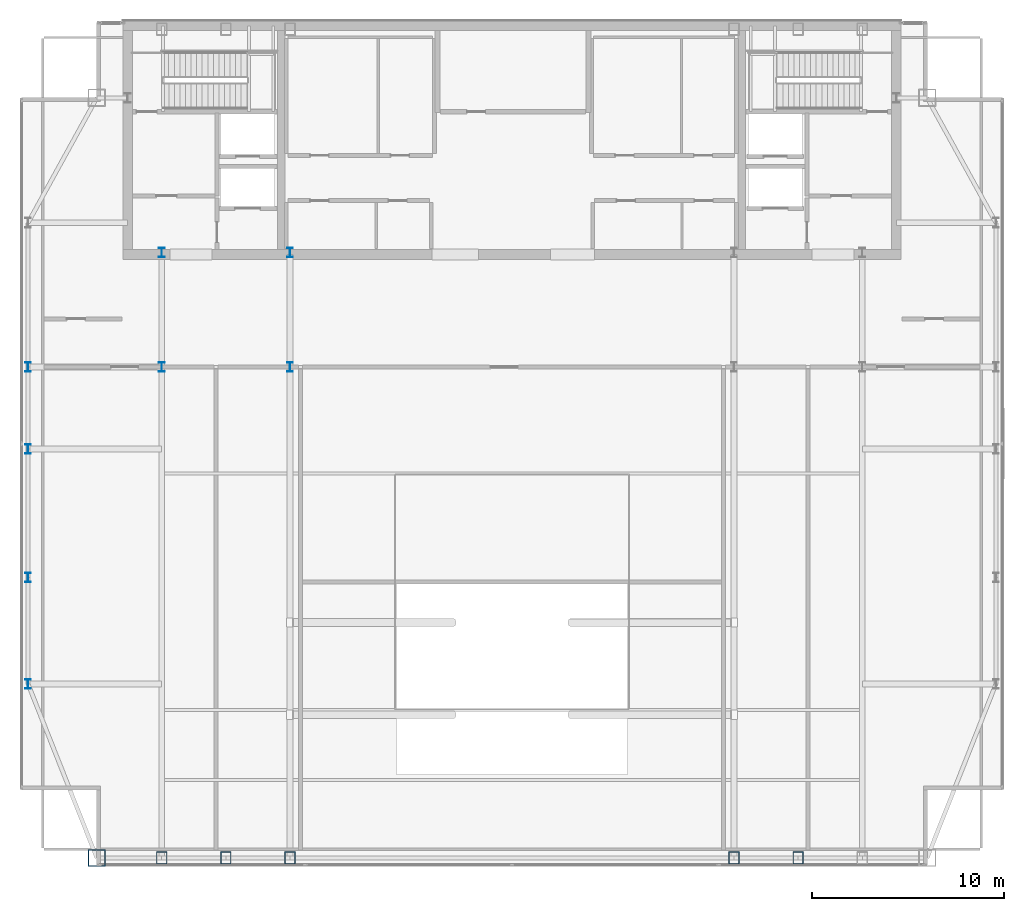
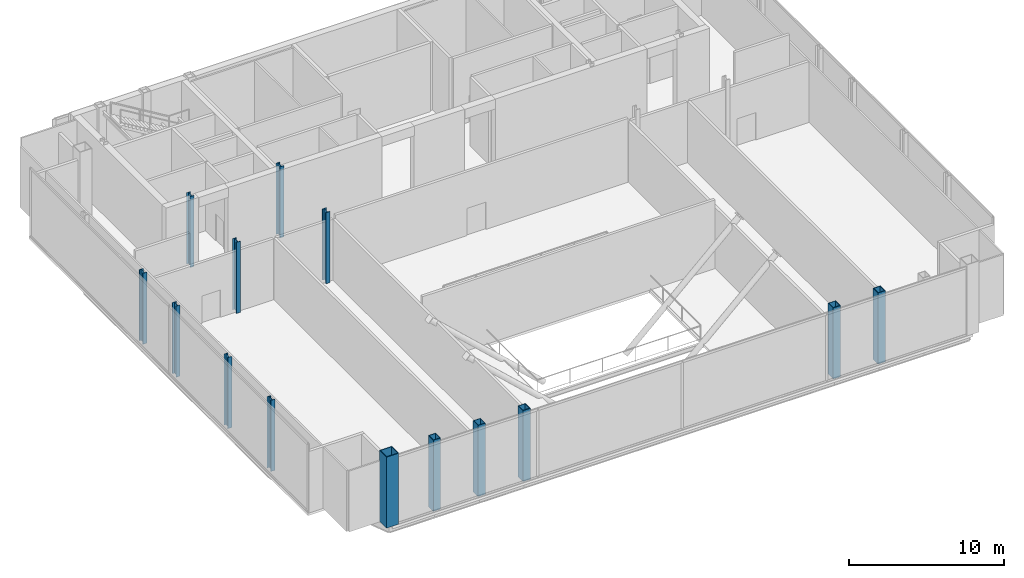
# One storey, part 1 of 23: 14 columns.
"""IFC4 building model written with IfcOpenShell, lengths in metres."""

import ifcopenshell
import ifcopenshell.guid

model = None  # the IFC model being written
_history = None  # IfcOwnerHistory: only IFC2X3 demands one
_inside = {}  # id of a spatial element -> (the spatial element, [elements in it])
_under = {}  # id of a project, library or spatial element -> (it, [spatial elements below it])
_declared = {}  # id of a project -> (the project, [libraries it declares])
_typed = {}  # id of a type object -> (the type object, [elements of that type])
_made_of = {}  # id of a material, layer set ... -> (it, [elements and type objects made of it])


def new_model(schema):
    """Start an empty IFC model of exactly this schema.

    Asked for "IFC4X3", IfcOpenShell would pick the latest addendum, in which some entities
    have other attributes; the version numbers below select the first issue.
    IFC2X3 requires an IfcOwnerHistory on every rooted entity: one is made here for all.
    """
    global model, _history
    if schema == "IFC4X3":
        model = ifcopenshell.file(schema_version=(4, 3, 0, 0))
    else:
        model = ifcopenshell.file(schema=schema)
    _inside.clear()
    _under.clear()
    _declared.clear()
    _typed.clear()
    _made_of.clear()
    _history = None
    if model.schema == "IFC2X3":
        org = make("IfcOrganization", Name="unknown")
        user = make(
            "IfcPersonAndOrganization",
            ThePerson=make("IfcPerson", FamilyName="unknown"),
            TheOrganization=org,
        )
        app = make(
            "IfcApplication",
            ApplicationDeveloper=org,
            Version="unknown",
            ApplicationFullName="unknown",
            ApplicationIdentifier="unknown",
        )
        _history = make(
            "IfcOwnerHistory",
            OwningUser=user,
            OwningApplication=app,
            ChangeAction="ADDED",
            CreationDate=0,
        )
    return model


def make(cls, **values):
    """One entity of the class cls with the attributes given. An attribute that is None is left unset."""
    return model.create_entity(
        cls, **{name: value for name, value in values.items() if value is not None}
    )


def rooted(cls, **values):
    """An entity with a GlobalId (a new one), such as an element, a storey or a relation."""
    return make(cls, GlobalId=ifcopenshell.guid.new(), OwnerHistory=_history, **values)


def si_unit(unit_type, name, prefix=None):
    """IfcSIUnit, for example si_unit("LENGTHUNIT", "METRE", prefix="MILLI")."""
    return make("IfcSIUnit", UnitType=unit_type, Prefix=prefix, Name=name)


def assignment(units):
    """IfcUnitAssignment: the units of a project."""
    return None if units is None else make("IfcUnitAssignment", Units=units)


def point(xyz):
    """IfcCartesianPoint."""
    return None if xyz is None else make("IfcCartesianPoint", Coordinates=xyz)


def direction(xyz):
    """IfcDirection."""
    return None if xyz is None else make("IfcDirection", DirectionRatios=xyz)


def frame(location, z_axis=None, x_axis=None):
    """IfcAxis2Placement3D, a coordinate frame: its origin and axes. An axis left out is left unset."""
    return make(
        "IfcAxis2Placement3D",
        Location=point(location),
        Axis=direction(z_axis),
        RefDirection=direction(x_axis),
    )


def frame_2d(location, x_axis=None):
    """IfcAxis2Placement2D, a coordinate frame in the plane: its origin and x axis."""
    return make(
        "IfcAxis2Placement2D", Location=point(location), RefDirection=direction(x_axis)
    )


def origin():
    """The frame at (0, 0, 0) with its axes left unset."""
    return frame((0.0, 0.0, 0.0))


def origin_2d():
    """The frame at (0, 0) in the plane with its x axis left unset."""
    return frame_2d((0.0, 0.0))


def place(relative_to, where):
    """IfcLocalPlacement: puts the frame where relative to a parent placement (None: the world)."""
    return make(
        "IfcLocalPlacement", PlacementRelTo=relative_to, RelativePlacement=where
    )


def context(
    kind, dimensions, precision=None, world=None, true_north=None, identifier=None
):
    """IfcGeometricRepresentationContext, for example the 3D "Model" context."""
    return make(
        "IfcGeometricRepresentationContext",
        ContextIdentifier=identifier,
        ContextType=kind,
        CoordinateSpaceDimension=dimensions,
        Precision=precision,
        WorldCoordinateSystem=world,
        TrueNorth=true_north,
    )


def subcontext(parent, identifier, kind, view, scale=None):
    """IfcGeometricRepresentationSubContext, for example "Body" below "Model"."""
    return make(
        "IfcGeometricRepresentationSubContext",
        ContextIdentifier=identifier,
        ContextType=kind,
        ParentContext=parent,
        TargetScale=scale,
        TargetView=view,
    )


def project(units=None, contexts=None):
    """IfcProject with its units and contexts."""
    return rooted(
        "IfcProject",
        Name="project",
        RepresentationContexts=contexts,
        UnitsInContext=assignment(units),
    )


def spatial(cls, under=None, at=None, **own):
    """A site, building, storey or space (cls), placed at a placement, below another one or the project."""
    s = rooted(cls, ObjectPlacement=at, **own)
    if under is not None:
        _under.setdefault(under.id(), (under, []))[1].append(s)
    return s


def profile(cls, at=None, kind="AREA", **sizes):
    """A parametric profile (cls). Its sizes go by their IFC names, for example OverallWidth=200.0."""
    return make(cls, ProfileType=kind, Position=at, **sizes)


def hollow_rectangle(**sizes):
    """IfcRectangleHollowProfileDef."""
    return profile("IfcRectangleHollowProfileDef", **sizes)


def i_section(**sizes):
    """IfcIShapeProfileDef."""
    return profile("IfcIShapeProfileDef", **sizes)


def extrude(swept, where, along, depth):
    """IfcExtrudedAreaSolid: the profile swept, set in the frame where, extruded along a direction by depth."""
    return make(
        "IfcExtrudedAreaSolid",
        SweptArea=swept,
        Position=where,
        ExtrudedDirection=direction(along),
        Depth=depth,
    )


def shape(context_of_items, identifier, shape_type, items):
    """IfcShapeRepresentation: the items that make up one representation, for example the "Body"."""
    return make(
        "IfcShapeRepresentation",
        ContextOfItems=context_of_items,
        RepresentationIdentifier=identifier,
        RepresentationType=shape_type,
        Items=items,
    )


def material(Name=None, Category=None):
    """IfcMaterial."""
    return make("IfcMaterial", Name=Name, Category=Category)


def material_profile(
    of_material, cross_section, Name=None, Category=None, Priority=None
):
    """IfcMaterialProfile: a cross section and its material."""
    return make(
        "IfcMaterialProfile",
        Name=Name,
        Material=of_material,
        Profile=cross_section,
        Priority=Priority,
        Category=Category,
    )


def profile_set(profiles, Name=None, composite=None):
    """IfcMaterialProfileSet."""
    return make(
        "IfcMaterialProfileSet",
        Name=Name,
        MaterialProfiles=profiles,
        CompositeProfile=composite,
    )


def made_of(thing, what):
    """Note that an element or type object is made of a material, layer set ...; save() writes the relation."""
    if what is not None:
        _made_of.setdefault(what.id(), (what, []))[1].append(thing)
    return thing


def type_object(cls, material=None, **own):
    """A type object (cls), such as IfcWallType, which elements share."""
    return made_of(rooted(cls, **own), material)


def element(
    cls,
    number,
    at=None,
    inside=None,
    cuts=None,
    type_object=None,
    material=None,
    context=None,
    identifier="Body",
    shape_type=None,
    held_by="IfcProductDefinitionShape",
    body=None,
    shapes=None,
    **own,
):
    """One element of the class cls, such as IfcWall. Its Tag is "e" and its number.

    at: its placement. inside: the storey or other place that contains it. cuts: it is an
    opening in that element (IfcRelVoidsElement). A single representation is given by context,
    identifier, shape_type and body (its items); several are given by shapes. held_by: the class
    of the entity that holds the representations. save() writes the other relations.
    """
    e = rooted(cls, Tag="e%d" % number, ObjectPlacement=at, **own)
    if body is not None:
        shapes = [shape(context, identifier, shape_type, body)]
    if shapes is not None:
        e.Representation = make(held_by, Representations=shapes)
    if inside is not None:
        _inside.setdefault(inside.id(), (inside, []))[1].append(e)
    if cuts is not None:
        rooted(
            "IfcRelVoidsElement", RelatingBuildingElement=cuts, RelatedOpeningElement=e
        )
    if type_object is not None:
        _typed.setdefault(type_object.id(), (type_object, []))[1].append(e)
    return made_of(e, material)


def aggregate(whole, parts):
    """IfcRelAggregates: a whole, such as a stair, and the parts it consists of."""
    return rooted("IfcRelAggregates", RelatingObject=whole, RelatedObjects=parts)


def save(model, path):
    """Write the relations noted so far, then the file.

    IfcRelAggregates (storeys below a building ...), IfcRelContainedInSpatialStructure (elements
    in a storey), IfcRelDefinesByType, IfcRelAssociatesMaterial and IfcRelDeclares: one each for
    every whole, place, type object, material and project.
    """
    for whole, parts in _under.values():
        aggregate(whole, parts)
    for where, things in _inside.values():
        rooted(
            "IfcRelContainedInSpatialStructure",
            RelatedElements=things,
            RelatingStructure=where,
        )
    for kind, things in _typed.values():
        rooted("IfcRelDefinesByType", RelatedObjects=things, RelatingType=kind)
    for what, things in _made_of.values():
        rooted("IfcRelAssociatesMaterial", RelatedObjects=things, RelatingMaterial=what)
    for by, libraries in _declared.values():
        rooted("IfcRelDeclares", RelatingContext=by, RelatedDefinitions=libraries)
    model.write(path)


model = new_model("IFC4")

# Units and contexts
model_context = context("Model", 3, precision=1e-05, world=origin(), true_north=direction((0.0, 1.0)))
body_context = subcontext(model_context, "Body", "Model", "MODEL_VIEW")
ifc_project = project(units=[si_unit("LENGTHUNIT", "METRE"), si_unit("AREAUNIT", "SQUARE_METRE"), si_unit("VOLUMEUNIT", "CUBIC_METRE"), si_unit("PLANEANGLEUNIT", "RADIAN"), si_unit("MASSUNIT", "GRAM", prefix="KILO")], contexts=[model_context])

# Site, building, storey
site_placement = place(None, origin())
site = spatial("IfcSite", under=ifc_project, at=site_placement, CompositionType="ELEMENT")
building_placement = place(site_placement, origin())
building = spatial("IfcBuilding", under=site, at=building_placement, Name="Khoronbel Lancet Exchange", CompositionType="ELEMENT")
storey_placement = place(building_placement, frame((0.0, 0.0, 356.199951171875)))
storey = spatial("IfcBuildingStorey", under=building, at=storey_placement, Name="L92", CompositionType="ELEMENT", Elevation=356.199951171875)

# Columns
ifc_material_1 = material(Name="Steel S355", Category="steel")
ifc_material_profile_1 = material_profile(ifc_material_1, i_section(OverallWidth=0.300048828125, OverallDepth=0.5, WebThickness=0.014404296875, FlangeThickness=0.028076171875, at=origin_2d()), Name="HEB 500")
ifc_profile_set_1 = profile_set([ifc_material_profile_1], Name="Steel S355")
column_type_1 = type_object("IfcColumnType", Name="COL-CRC1", PredefinedType="COLUMN", material=ifc_profile_set_1)
for number, where, z_axis, x_axis, name in (
    (1, (11.27001953125, 19.199951171875, 0.0), (0.0, 0.0, 1.0), (1.0, 0.0, 0.0), "CROWN FRAME column WC-1 L92"),
    (2, (11.27001953125, 24.75, 0.0), (0.0, 0.0, 1.0), (1.0, 0.0, 0.0), "CROWN FRAME column WC-2 L92"),
    (3, (11.27001953125, 31.425048828125, 0.0), (0.0, 0.0, 1.0), (1.0, 0.0, 0.0), "CROWN FRAME column WC-M L92"),
    (4, (11.27001953125, 35.699951171875, 0.0), (0.0, 0.0, 1.0), (1.0, 0.0, 0.0), "CROWN FRAME column WC-3 L92"),
    (5, (18.22509765625, 35.699951171875, 0.0), (0.0, 0.0, 1.0), (1.0, 0.0, 0.0), "CROWN FRAME spine column TC1 L92"),
    (6, (18.22509765625, 41.64990234375, 0.0), (0.0, 0.0, 1.0), (1.0, 0.0, 0.0), "Core-embedded steel column CTC1 L92"),
    (7, (24.89990234375, 35.699951171875, 0.0), (0.0, 0.0, 1.0), (1.0, 0.0, 0.0), "CROWN FRAME spine column TC2 L92"),
    (8, (24.89990234375, 41.64990234375, 0.0), (0.0, 0.0, 1.0), (1.0, 0.0, 0.0), "Core-embedded steel column CTC2 L92"),
):
    element("IfcColumn", number, at=place(storey_placement, frame(where, z_axis=z_axis, x_axis=x_axis)), inside=storey, type_object=column_type_1, Name=name, PredefinedType="COLUMN", context=body_context, shape_type="SweptSolid", body=[
        extrude(i_section(OverallWidth=0.300048828125, OverallDepth=0.5, WebThickness=0.014404296875, FlangeThickness=0.028076171875, at=origin_2d()), origin(), (0.0, 0.0, 1.0), 5.60009765625),
    ])
ifc_material_2 = material(Name="Steel S460", Category="steel")
ifc_material_profile_2 = material_profile(ifc_material_2, hollow_rectangle(XDim=0.550048828125, YDim=0.64990234375, WallThickness=0.0400390625, at=origin_2d()), Name="BOX 650x550x40")
ifc_profile_set_2 = profile_set([ifc_material_profile_2], Name="Steel S460")
column_type_2 = type_object("IfcColumnType", Name="COL-EC4", PredefinedType="COLUMN", material=ifc_profile_set_2)
for number, where, z_axis, x_axis, name in (
    (9, (18.22509765625, 10.14990234375, 0.0), (0.0, 0.0, 1.0), (1.0, 0.0, 0.0), "CROWN FRAME column SC-W1 L92"),
    (10, (21.5625, 10.14990234375, 0.0), (0.0, 0.0, 1.0), (1.0, 0.0, 0.0), "CROWN FRAME column SC-WM L92"),
    (11, (24.89990234375, 10.14990234375, 0.0), (0.0, 0.0, 1.0), (1.0, 0.0, 0.0), "CROWN FRAME column SC-W2 L92"),
    (12, (48.0, 10.14990234375, 0.0), (0.0, 0.0, 1.0), (1.0, 0.0, 0.0), "CROWN FRAME column SC-E1 L92"),
    (13, (51.33740234375, 10.14990234375, 0.0), (0.0, 0.0, 1.0), (1.0, 0.0, 0.0), "CROWN FRAME column SC-EM L92"),
):
    element("IfcColumn", number, at=place(storey_placement, frame(where, z_axis=z_axis, x_axis=x_axis)), inside=storey, type_object=column_type_2, Name=name, PredefinedType="COLUMN", context=body_context, shape_type="SweptSolid", body=[
        extrude(hollow_rectangle(XDim=0.550048828125, YDim=0.64990234375, WallThickness=0.0400390625, at=origin_2d()), origin(), (0.0, 0.0, 1.0), 5.60009765625),
    ])
ifc_material_profile_3 = material_profile(ifc_material_2, hollow_rectangle(XDim=0.89990234375, YDim=0.89990234375, WallThickness=0.050048828125, at=origin_2d()), Name="BOX 900x900x50")
ifc_profile_set_3 = profile_set([ifc_material_profile_3], Name="Steel S460")
column_type_3 = type_object("IfcColumnType", Name="COL-MC7", PredefinedType="COLUMN", material=ifc_profile_set_3)
column_placement = place(storey_placement, frame((14.85009765625, 10.14990234375, 0.0), z_axis=(0.0, 0.0, 1.0), x_axis=(1.0, 0.0, 0.0)))
element("IfcColumn", 14, at=column_placement, inside=storey, type_object=column_type_3, Name="CROWN FRAME column MC-SW L92", PredefinedType="COLUMN", context=body_context, shape_type="SweptSolid", body=[
    extrude(hollow_rectangle(XDim=0.89990234375, YDim=0.89990234375, WallThickness=0.050048828125, at=origin_2d()), origin(), (0.0, 0.0, 1.0), 5.60009765625),
])

save(model, "model.ifc")
